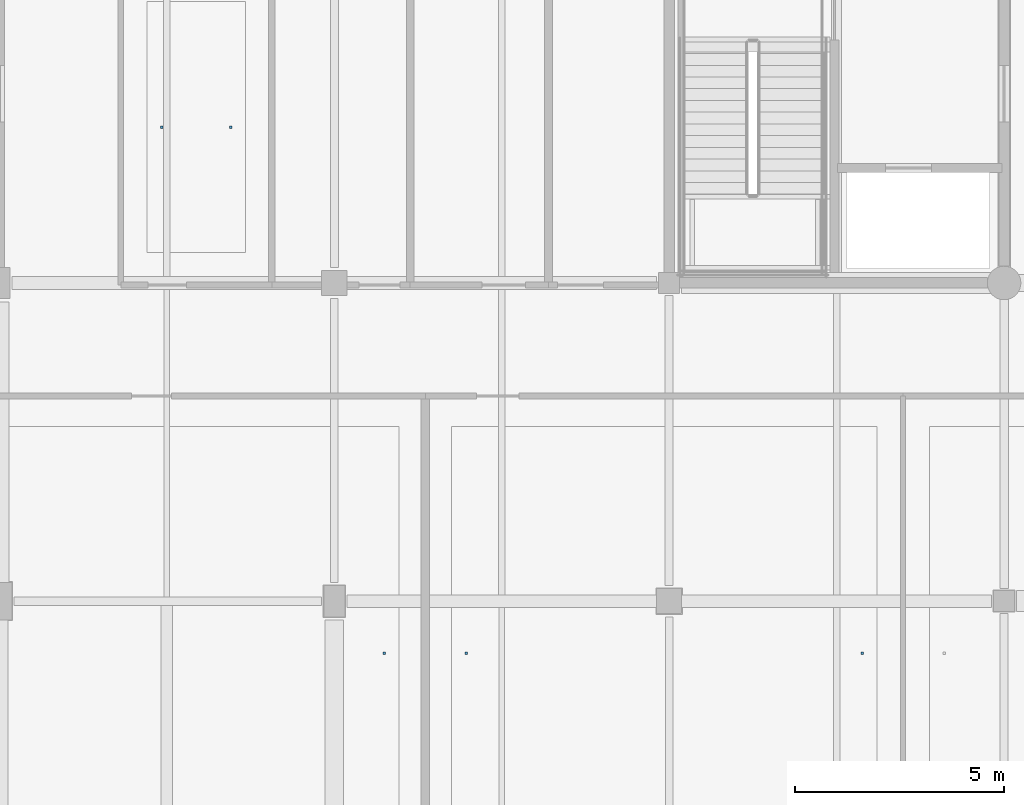
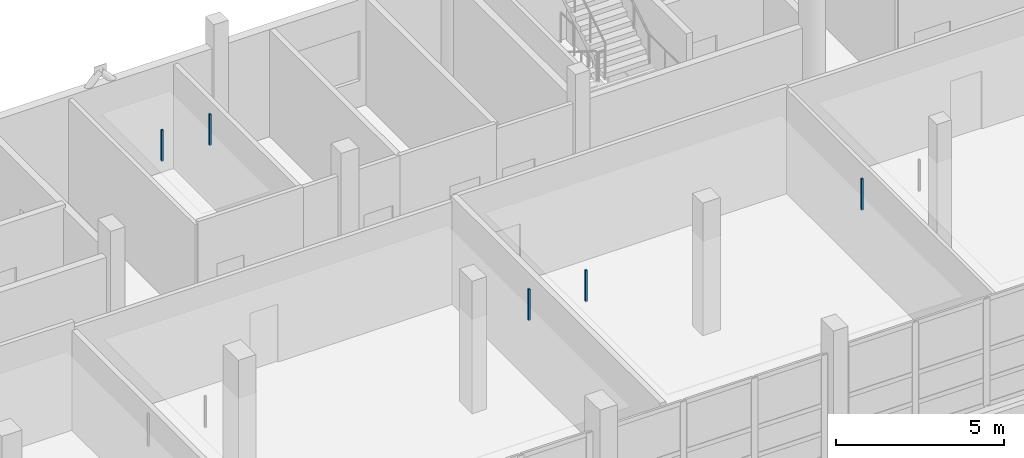
# One storey, part 39 of 46: 5 discrete accessories.
"""IFC4 building model written with IfcOpenShell, lengths in metres."""

from ifc_helpers import new_model, si_unit, direction, frame, origin, origin_2d, place, context, subcontext, project, spatial, rectangle, extrude, material, type_object, element, save


model = new_model("IFC4")

# Units and contexts
model_context = context("Model", 3, precision=1e-05, world=origin(), true_north=direction((0.0, 1.0)))
body_context = subcontext(model_context, "Body", "Model", "MODEL_VIEW")
ifc_project = project(units=[si_unit("LENGTHUNIT", "METRE"), si_unit("AREAUNIT", "SQUARE_METRE"), si_unit("VOLUMEUNIT", "CUBIC_METRE"), si_unit("PLANEANGLEUNIT", "RADIAN"), si_unit("MASSUNIT", "GRAM", prefix="KILO")], contexts=[model_context])

# Site, building, storey
site_placement = place(None, origin())
site = spatial("IfcSite", under=ifc_project, at=site_placement, CompositionType="ELEMENT")
building_placement = place(site_placement, origin())
building = spatial("IfcBuilding", under=site, at=building_placement, Name="Khelvaren Railside Concert Hall", CompositionType="ELEMENT")
storey_placement = place(building_placement, frame((0.0, 0.0, 19.800048828125)))
storey = spatial("IfcBuildingStorey", under=building, at=storey_placement, Name="L04", CompositionType="ELEMENT", Elevation=19.800048828125)

# Discrete accessories
ifc_material = material(Name="Galvanised steel acoustic ceiling hanger rod", Category="steel")
discrete_accessory_type = type_object("IfcDiscreteAccessoryType", Name="BRK62", PredefinedType="BRACKET", material=ifc_material)
for number, where, z_axis, x_axis, name in (
    (1, (161.194091796875, 97.550048828125, 3.429931640625), (0.0, 0.0, 1.0), (1.0, 0.0, 0.0), "Acoustic Ceiling Suspension Bracket 163-2"),
    (2, (163.154052734375, 97.550048828125, 3.429931640625), (0.0, 0.0, 1.0), (1.0, 0.0, 0.0), "Acoustic Ceiling Suspension Bracket 164-1"),
    (3, (172.610107421875, 97.550048828125, 3.429931640625), (0.0, 0.0, 1.0), (1.0, 0.0, 0.0), "Acoustic Ceiling Suspension Bracket 164-2"),
    (4, (155.8798828125, 110.125, 3.429931640625), (0.0, 0.0, 1.0), (1.0, 0.0, 0.0), "Acoustic Ceiling Suspension Bracket 167-1"),
    (5, (157.52587890625, 110.125, 3.429931640625), (0.0, 0.0, 1.0), (1.0, 0.0, 0.0), "Acoustic Ceiling Suspension Bracket 167-2"),
):
    element("IfcDiscreteAccessory", number, at=place(storey_placement, frame(where, z_axis=z_axis, x_axis=x_axis)), inside=storey, type_object=discrete_accessory_type, Name=name, PredefinedType="BRACKET", context=body_context, shape_type="SweptSolid", body=[
        extrude(rectangle(XDim=0.06005859375, YDim=0.06005859375, at=origin_2d()), origin(), (0.0, 0.0, 1.0), 1.1298828125),
    ])

save(model, "model.ifc")
